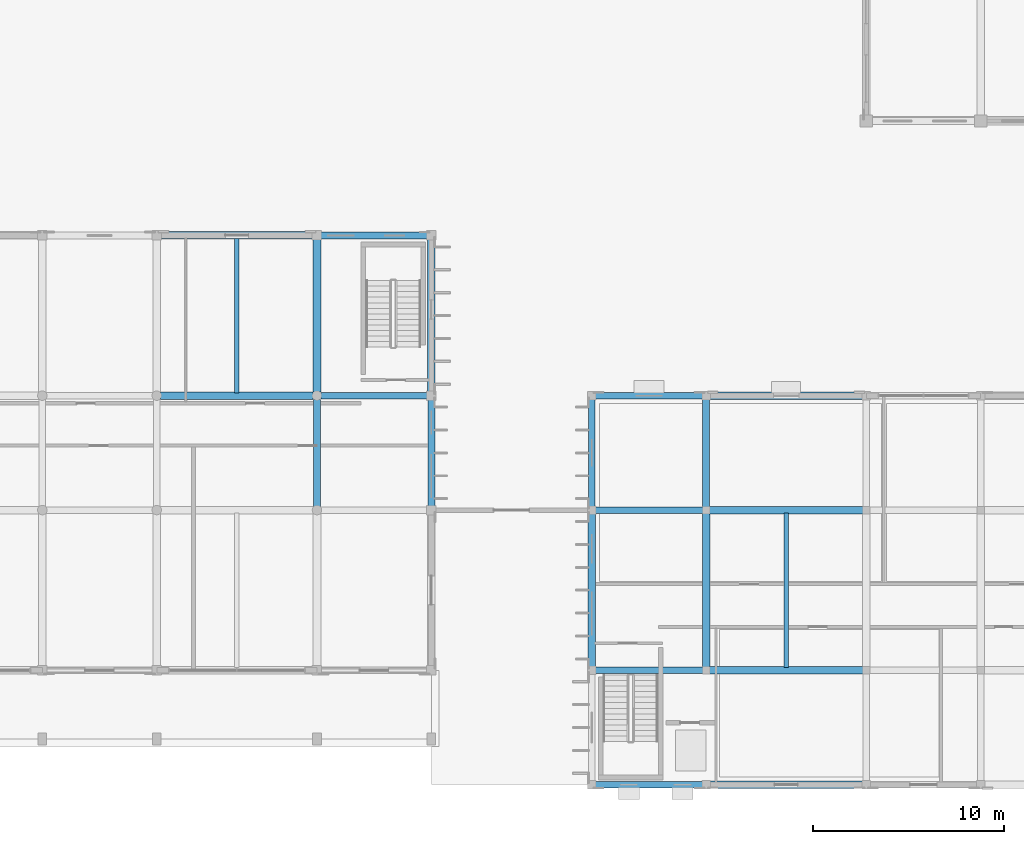
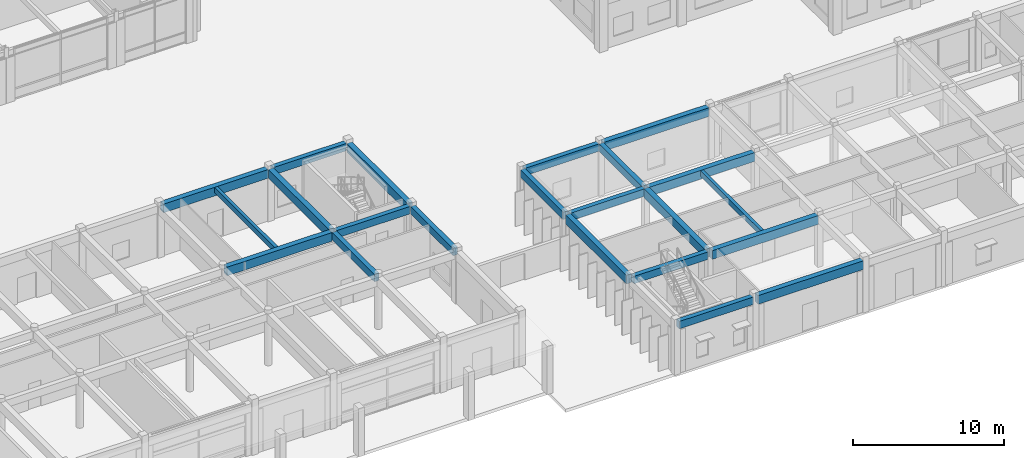
# One storey, part 16 of 67: 22 beams.
"""IFC4 building model written with IfcOpenShell, lengths in metres."""

from ifc_helpers import new_model, si_unit, direction, frame, origin, origin_2d, place, context, subcontext, project, spatial, rectangle, extrude, material, material_profile, profile_set, type_object, element, save


model = new_model("IFC4")

# Units and contexts
model_context = context("Model", 3, precision=1e-05, world=origin(), true_north=direction((0.0, 1.0)))
body_context = subcontext(model_context, "Body", "Model", "MODEL_VIEW")
ifc_project = project(units=[si_unit("LENGTHUNIT", "METRE"), si_unit("AREAUNIT", "SQUARE_METRE"), si_unit("VOLUMEUNIT", "CUBIC_METRE"), si_unit("PLANEANGLEUNIT", "RADIAN"), si_unit("MASSUNIT", "GRAM", prefix="KILO"), si_unit("THERMODYNAMICTEMPERATUREUNIT", "KELVIN")], contexts=[model_context])

# Site, building, storey
site_placement = place(None, origin())
site = spatial("IfcSite", under=ifc_project, at=site_placement, CompositionType="ELEMENT")
building_placement = place(site_placement, origin())
building = spatial("IfcBuilding", under=site, at=building_placement, Name="Thalorik Housing Commons", CompositionType="ELEMENT")
storey_placement = place(building_placement, origin())
storey = spatial("IfcBuildingStorey", under=building, at=storey_placement, Name="L00", CompositionType="ELEMENT", Elevation=0.0)

# Beams
ifc_material = material(Name="Precast concrete C40/50", Category="concrete")
ifc_material_profile_1 = material_profile(ifc_material, rectangle(XDim=0.35009765625, YDim=0.60009765625, at=origin_2d()), Name="PC 350x600", Category="concrete")
ifc_profile_set_1 = profile_set([ifc_material_profile_1], Name="Precast concrete C40/50")
beam_type_1 = type_object("IfcBeamType", Name="STR-BM-PC350x600", PredefinedType="BEAM", material=ifc_profile_set_1)
beam_1_placement = place(storey_placement, frame((123.77490234375, 8.39990234375, 3.89990234375), z_axis=(1.0, 0.0, 0.0), x_axis=(0.0, 1.0, 0.0)))
element("IfcBeam", 1, at=beam_1_placement, inside=storey, type_object=beam_type_1, Name="L00 Beam B-600", PredefinedType="BEAM", context=body_context, shape_type="SweptSolid", body=[
    extrude(rectangle(XDim=0.35009765625, YDim=0.60009765625, at=origin_2d()), origin(), (0.0, 0.0, 1.0), 5.650146484375),
])
for number, where, z_axis, x_axis, name in (
    (2, (123.77490234375, 14.39990234375, 3.89990234375), (1.0, 0.0, 0.0), (0.0, 1.0, 0.0), "L00 Beam B-600"),
    (3, (123.77490234375, 22.800048828125, 3.89990234375), (1.0, 0.0, 0.0), (0.0, 1.0, 0.0), "L00 Beam B-600"),
):
    element("IfcBeam", number, at=place(storey_placement, frame(where, z_axis=z_axis, x_axis=x_axis)), inside=storey, type_object=beam_type_1, Name=name, PredefinedType="BEAM", context=body_context, shape_type="SweptSolid", body=[
        extrude(rectangle(XDim=0.35009765625, YDim=0.60009765625, at=origin_2d()), origin(), (0.0, 0.0, 1.0), 5.675048828125),
    ])
beam_2_placement = place(storey_placement, frame((109.39990234375, 28.800048828125, 3.89990234375), z_axis=(1.0, 0.0, 0.0), x_axis=(0.0, 1.0, 0.0)))
element("IfcBeam", 4, at=beam_2_placement, inside=storey, type_object=beam_type_1, Name="L00 Beam B-600", PredefinedType="BEAM", context=body_context, shape_type="SweptSolid", body=[
    extrude(rectangle(XDim=0.35009765625, YDim=0.60009765625, at=origin_2d()), origin(), (0.0, 0.0, 1.0), 5.60009765625),
])
beam_3_placement = place(storey_placement, frame((123.77490234375, 28.800048828125, 3.89990234375), z_axis=(1.0, 0.0, 0.0), x_axis=(0.0, 1.0, 0.0)))
element("IfcBeam", 5, at=beam_3_placement, inside=storey, type_object=beam_type_1, Name="L00 Beam B-600", PredefinedType="BEAM", context=body_context, shape_type="SweptSolid", body=[
    extrude(rectangle(XDim=0.35009765625, YDim=0.60009765625, at=origin_2d()), origin(), (0.0, 0.0, 1.0), 5.650146484375),
])
for number, where, z_axis, x_axis, name in (
    (6, (109.39990234375, 37.199951171875, 3.89990234375), (1.0, 0.0, 0.0), (0.0, 1.0, 0.0), "L00 Beam B-600"),
    (7, (109.199951171875, 23.0, 3.89990234375), (0.0, 1.0, 0.0), (-1.0, 0.0, 0.0), "L00 Beam B-600"),
    (8, (115.199951171875, 23.0, 3.89990234375), (0.0, 1.0, 0.0), (-1.0, 0.0, 0.0), "L00 Beam B-600"),
):
    element("IfcBeam", number, at=place(storey_placement, frame(where, z_axis=z_axis, x_axis=x_axis)), inside=storey, type_object=beam_type_1, Name=name, PredefinedType="BEAM", context=body_context, shape_type="SweptSolid", body=[
        extrude(rectangle(XDim=0.35009765625, YDim=0.60009765625, at=origin_2d()), origin(), (0.0, 0.0, 1.0), 5.60009765625),
    ])
beam_4_placement = place(storey_placement, frame((123.60009765625, 22.97509765625, 3.89990234375), z_axis=(0.0, 1.0, 0.0), x_axis=(-1.0, 0.0, 0.0)))
element("IfcBeam", 9, at=beam_4_placement, inside=storey, type_object=beam_type_1, Name="L00 Beam B-600", PredefinedType="BEAM", context=body_context, shape_type="SweptSolid", body=[
    extrude(rectangle(XDim=0.35009765625, YDim=0.60009765625, at=origin_2d()), origin(), (0.0, 0.0, 1.0), 5.64990234375),
])
beam_5_placement = place(storey_placement, frame((129.60009765625, 22.949951171875, 3.89990234375), z_axis=(0.0, 1.0, 0.0), x_axis=(-1.0, 0.0, 0.0)))
element("IfcBeam", 10, at=beam_5_placement, inside=storey, type_object=beam_type_1, Name="L00 Beam B-600", PredefinedType="BEAM", context=body_context, shape_type="SweptSolid", body=[
    extrude(rectangle(XDim=0.35009765625, YDim=0.60009765625, at=origin_2d()), origin(), (0.0, 0.0, 1.0), 5.675048828125),
])
ifc_material_profile_2 = material_profile(ifc_material, rectangle(XDim=0.39990234375, YDim=0.699951171875, at=origin_2d()), Name="PC 400x700", Category="concrete")
ifc_profile_set_2 = profile_set([ifc_material_profile_2], Name="Precast concrete C40/50")
beam_type_2 = type_object("IfcBeamType", Name="STR-BM-PC400x700", PredefinedType="BEAM", material=ifc_profile_set_2)
beam_6_placement = place(storey_placement, frame((129.77490234375, 8.39990234375, 3.85009765625), z_axis=(1.0, 0.0, 0.0), x_axis=(0.0, 1.0, 0.0)))
element("IfcBeam", 11, at=beam_6_placement, inside=storey, type_object=beam_type_2, Name="L00 Beam B-700", PredefinedType="BEAM", context=body_context, shape_type="SweptSolid", body=[
    extrude(rectangle(XDim=0.39990234375, YDim=0.699951171875, at=origin_2d()), origin(), (0.0, 0.0, 1.0), 8.050048828125),
])
for number, where, z_axis, x_axis, name in (
    (12, (129.75, 14.39990234375, 3.85009765625), (1.0, 0.0, 0.0), (0.0, 1.0, 0.0), "L00 Beam B-700"),
    (13, (129.75, 22.800048828125, 3.85009765625), (1.0, 0.0, 0.0), (0.0, 1.0, 0.0), "L00 Beam B-700"),
):
    element("IfcBeam", number, at=place(storey_placement, frame(where, z_axis=z_axis, x_axis=x_axis)), inside=storey, type_object=beam_type_2, Name=name, PredefinedType="BEAM", context=body_context, shape_type="SweptSolid", body=[
        extrude(rectangle(XDim=0.39990234375, YDim=0.699951171875, at=origin_2d()), origin(), (0.0, 0.0, 1.0), 8.10009765625),
    ])
beam_7_placement = place(storey_placement, frame((101.0, 28.800048828125, 3.85009765625), z_axis=(1.0, 0.0, 0.0), x_axis=(0.0, 1.0, 0.0)))
element("IfcBeam", 14, at=beam_7_placement, inside=storey, type_object=beam_type_2, Name="L00 Beam B-700", PredefinedType="BEAM", context=body_context, shape_type="SweptSolid", body=[
    extrude(rectangle(XDim=0.39990234375, YDim=0.699951171875, at=origin_2d()), origin(), (0.0, 0.0, 1.0), 8.0),
])
beam_8_placement = place(storey_placement, frame((129.77490234375, 28.800048828125, 3.85009765625), z_axis=(1.0, 0.0, 0.0), x_axis=(0.0, 1.0, 0.0)))
element("IfcBeam", 15, at=beam_8_placement, inside=storey, type_object=beam_type_2, Name="L00 Beam B-700", PredefinedType="BEAM", context=body_context, shape_type="SweptSolid", body=[
    extrude(rectangle(XDim=0.39990234375, YDim=0.699951171875, at=origin_2d()), origin(), (0.0, 0.0, 1.0), 8.050048828125),
])
for number, where, z_axis, x_axis, name in (
    (16, (101.0, 37.199951171875, 3.85009765625), (1.0, 0.0, 0.0), (0.0, 1.0, 0.0), "L00 Beam B-700"),
    (17, (109.199951171875, 29.0, 3.85009765625), (0.0, 1.0, 0.0), (-1.0, 0.0, 0.0), "L00 Beam B-700"),
    (18, (115.199951171875, 29.0, 3.85009765625), (0.0, 1.0, 0.0), (-1.0, 0.0, 0.0), "L00 Beam B-700"),
):
    element("IfcBeam", number, at=place(storey_placement, frame(where, z_axis=z_axis, x_axis=x_axis)), inside=storey, type_object=beam_type_2, Name=name, PredefinedType="BEAM", context=body_context, shape_type="SweptSolid", body=[
        extrude(rectangle(XDim=0.39990234375, YDim=0.699951171875, at=origin_2d()), origin(), (0.0, 0.0, 1.0), 8.0),
    ])
beam_9_placement = place(storey_placement, frame((123.60009765625, 14.574951171875, 3.85009765625), z_axis=(0.0, 1.0, 0.0), x_axis=(-1.0, 0.0, 0.0)))
element("IfcBeam", 19, at=beam_9_placement, inside=storey, type_object=beam_type_2, Name="L00 Beam B-700", PredefinedType="BEAM", context=body_context, shape_type="SweptSolid", body=[
    extrude(rectangle(XDim=0.39990234375, YDim=0.699951171875, at=origin_2d()), origin(), (0.0, 0.0, 1.0), 8.050048828125),
])
beam_10_placement = place(storey_placement, frame((129.60009765625, 14.550048828125, 3.85009765625), z_axis=(0.0, 1.0, 0.0), x_axis=(-1.0, 0.0, 0.0)))
element("IfcBeam", 20, at=beam_10_placement, inside=storey, type_object=beam_type_2, Name="L00 Beam B-700", PredefinedType="BEAM", context=body_context, shape_type="SweptSolid", body=[
    extrude(rectangle(XDim=0.39990234375, YDim=0.699951171875, at=origin_2d()), origin(), (0.0, 0.0, 1.0), 8.099853515625),
])
ifc_material_profile_3 = material_profile(ifc_material, rectangle(XDim=0.239990234375, YDim=0.43994140625, at=origin_2d()), Name="PC JST 240x440", Category="concrete")
ifc_profile_set_3 = profile_set([ifc_material_profile_3], Name="Precast concrete C40/50")
beam_type_3 = type_object("IfcBeamType", Name="STR-JST-PC240x440", PredefinedType="JOIST", material=ifc_profile_set_3)
beam_11_placement = place(storey_placement, frame((133.800048828125, 14.550048828125, 3.97998046875), z_axis=(0.0, 1.0, 0.0), x_axis=(-1.0, 0.0, 0.0)))
element("IfcBeam", 21, at=beam_11_placement, inside=storey, type_object=beam_type_3, Name="L00 Beam J-440", PredefinedType="JOIST", context=body_context, shape_type="SweptSolid", body=[
    extrude(rectangle(XDim=0.239990234375, YDim=0.43994140625, at=origin_2d()), origin(), (0.0, 0.0, 1.0), 8.099853515625),
])
beam_12_placement = place(storey_placement, frame((105.0, 28.949951171875, 3.97998046875), z_axis=(0.0, 1.0, 0.0), x_axis=(-1.0, 0.0, 0.0)))
element("IfcBeam", 22, at=beam_12_placement, inside=storey, type_object=beam_type_3, Name="L00 Beam J-440", PredefinedType="JOIST", context=body_context, shape_type="SweptSolid", body=[
    extrude(rectangle(XDim=0.239990234375, YDim=0.43994140625, at=origin_2d()), origin(), (0.0, 0.0, 1.0), 8.10009765625),
])

save(model, "model.ifc")
